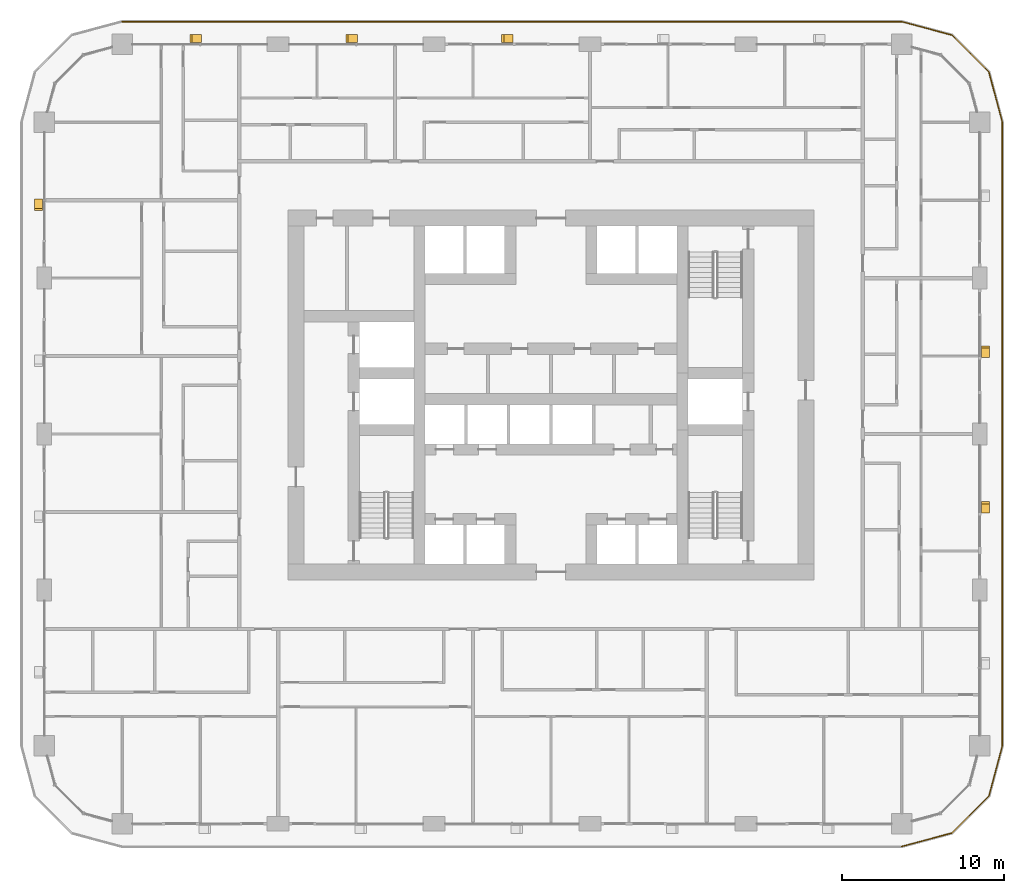
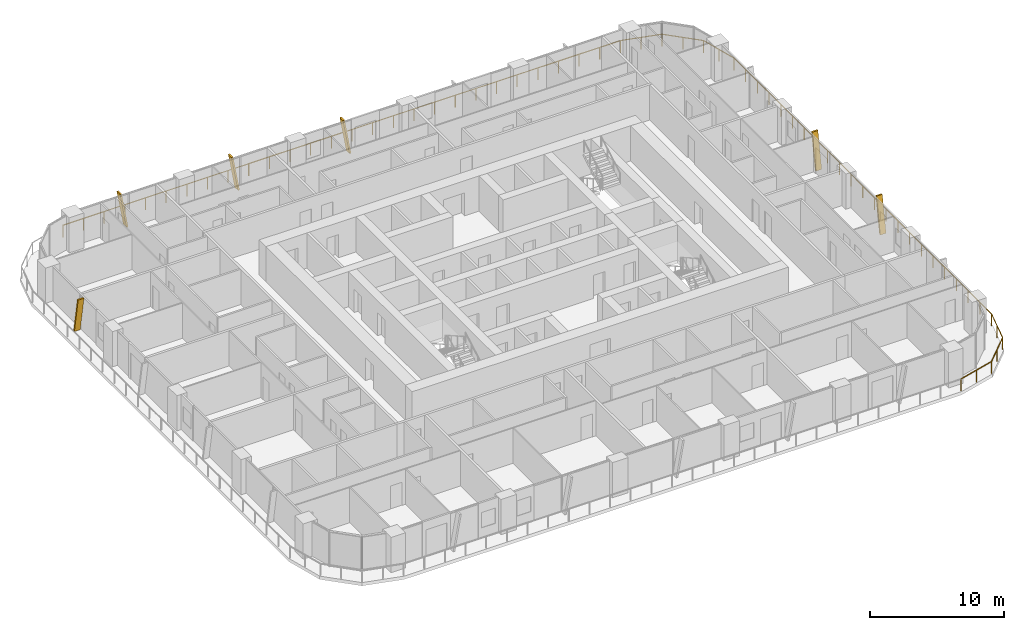
# One storey, part 20 of 21: 6 shading devices, 1 railing.
"""IFC4 building model written with IfcOpenShell, lengths in metres."""

import ifcopenshell
import ifcopenshell.guid

model = None  # the IFC model being written
_history = None  # IfcOwnerHistory: only IFC2X3 demands one
_inside = {}  # id of a spatial element -> (the spatial element, [elements in it])
_under = {}  # id of a project, library or spatial element -> (it, [spatial elements below it])
_declared = {}  # id of a project -> (the project, [libraries it declares])
_typed = {}  # id of a type object -> (the type object, [elements of that type])
_made_of = {}  # id of a material, layer set ... -> (it, [elements and type objects made of it])


def new_model(schema):
    """Start an empty IFC model of exactly this schema.

    Asked for "IFC4X3", IfcOpenShell would pick the latest addendum, in which some entities
    have other attributes; the version numbers below select the first issue.
    IFC2X3 requires an IfcOwnerHistory on every rooted entity: one is made here for all.
    """
    global model, _history
    if schema == "IFC4X3":
        model = ifcopenshell.file(schema_version=(4, 3, 0, 0))
    else:
        model = ifcopenshell.file(schema=schema)
    _inside.clear()
    _under.clear()
    _declared.clear()
    _typed.clear()
    _made_of.clear()
    _history = None
    if model.schema == "IFC2X3":
        org = make("IfcOrganization", Name="unknown")
        user = make(
            "IfcPersonAndOrganization",
            ThePerson=make("IfcPerson", FamilyName="unknown"),
            TheOrganization=org,
        )
        app = make(
            "IfcApplication",
            ApplicationDeveloper=org,
            Version="unknown",
            ApplicationFullName="unknown",
            ApplicationIdentifier="unknown",
        )
        _history = make(
            "IfcOwnerHistory",
            OwningUser=user,
            OwningApplication=app,
            ChangeAction="ADDED",
            CreationDate=0,
        )
    return model


def make(cls, **values):
    """One entity of the class cls with the attributes given. An attribute that is None is left unset."""
    return model.create_entity(
        cls, **{name: value for name, value in values.items() if value is not None}
    )


def rooted(cls, **values):
    """An entity with a GlobalId (a new one), such as an element, a storey or a relation."""
    return make(cls, GlobalId=ifcopenshell.guid.new(), OwnerHistory=_history, **values)


def si_unit(unit_type, name, prefix=None):
    """IfcSIUnit, for example si_unit("LENGTHUNIT", "METRE", prefix="MILLI")."""
    return make("IfcSIUnit", UnitType=unit_type, Prefix=prefix, Name=name)


def assignment(units):
    """IfcUnitAssignment: the units of a project."""
    return None if units is None else make("IfcUnitAssignment", Units=units)


def point(xyz):
    """IfcCartesianPoint."""
    return None if xyz is None else make("IfcCartesianPoint", Coordinates=xyz)


def direction(xyz):
    """IfcDirection."""
    return None if xyz is None else make("IfcDirection", DirectionRatios=xyz)


def frame(location, z_axis=None, x_axis=None):
    """IfcAxis2Placement3D, a coordinate frame: its origin and axes. An axis left out is left unset."""
    return make(
        "IfcAxis2Placement3D",
        Location=point(location),
        Axis=direction(z_axis),
        RefDirection=direction(x_axis),
    )


def frame_2d(location, x_axis=None):
    """IfcAxis2Placement2D, a coordinate frame in the plane: its origin and x axis."""
    return make(
        "IfcAxis2Placement2D", Location=point(location), RefDirection=direction(x_axis)
    )


def origin():
    """The frame at (0, 0, 0) with its axes left unset."""
    return frame((0.0, 0.0, 0.0))


def origin_2d():
    """The frame at (0, 0) in the plane with its x axis left unset."""
    return frame_2d((0.0, 0.0))


def place(relative_to, where):
    """IfcLocalPlacement: puts the frame where relative to a parent placement (None: the world)."""
    return make(
        "IfcLocalPlacement", PlacementRelTo=relative_to, RelativePlacement=where
    )


def context(
    kind, dimensions, precision=None, world=None, true_north=None, identifier=None
):
    """IfcGeometricRepresentationContext, for example the 3D "Model" context."""
    return make(
        "IfcGeometricRepresentationContext",
        ContextIdentifier=identifier,
        ContextType=kind,
        CoordinateSpaceDimension=dimensions,
        Precision=precision,
        WorldCoordinateSystem=world,
        TrueNorth=true_north,
    )


def subcontext(parent, identifier, kind, view, scale=None):
    """IfcGeometricRepresentationSubContext, for example "Body" below "Model"."""
    return make(
        "IfcGeometricRepresentationSubContext",
        ContextIdentifier=identifier,
        ContextType=kind,
        ParentContext=parent,
        TargetScale=scale,
        TargetView=view,
    )


def project(units=None, contexts=None):
    """IfcProject with its units and contexts."""
    return rooted(
        "IfcProject",
        Name="project",
        RepresentationContexts=contexts,
        UnitsInContext=assignment(units),
    )


def spatial(cls, under=None, at=None, **own):
    """A site, building, storey or space (cls), placed at a placement, below another one or the project."""
    s = rooted(cls, ObjectPlacement=at, **own)
    if under is not None:
        _under.setdefault(under.id(), (under, []))[1].append(s)
    return s


def polyline(points):
    """IfcPolyline through the points."""
    return make("IfcPolyline", Points=[point(p) for p in points])


def profile(cls, at=None, kind="AREA", **sizes):
    """A parametric profile (cls). Its sizes go by their IFC names, for example OverallWidth=200.0."""
    return make(cls, ProfileType=kind, Position=at, **sizes)


def circle(**sizes):
    """IfcCircleProfileDef."""
    return profile("IfcCircleProfileDef", **sizes)


def outline(outer, holes=None, kind="AREA"):
    """IfcArbitraryClosedProfileDef: a profile drawn as a closed curve; with holes, ...WithVoids."""
    if holes is None:
        return make("IfcArbitraryClosedProfileDef", ProfileType=kind, OuterCurve=outer)
    return make(
        "IfcArbitraryProfileDefWithVoids",
        ProfileType=kind,
        OuterCurve=outer,
        InnerCurves=holes,
    )


def extrude(swept, where, along, depth):
    """IfcExtrudedAreaSolid: the profile swept, set in the frame where, extruded along a direction by depth."""
    return make(
        "IfcExtrudedAreaSolid",
        SweptArea=swept,
        Position=where,
        ExtrudedDirection=direction(along),
        Depth=depth,
    )


def shape(context_of_items, identifier, shape_type, items):
    """IfcShapeRepresentation: the items that make up one representation, for example the "Body"."""
    return make(
        "IfcShapeRepresentation",
        ContextOfItems=context_of_items,
        RepresentationIdentifier=identifier,
        RepresentationType=shape_type,
        Items=items,
    )


def material(Name=None, Category=None):
    """IfcMaterial."""
    return make("IfcMaterial", Name=Name, Category=Category)


def made_of(thing, what):
    """Note that an element or type object is made of a material, layer set ...; save() writes the relation."""
    if what is not None:
        _made_of.setdefault(what.id(), (what, []))[1].append(thing)
    return thing


def type_object(cls, material=None, **own):
    """A type object (cls), such as IfcWallType, which elements share."""
    return made_of(rooted(cls, **own), material)


def element(
    cls,
    number,
    at=None,
    inside=None,
    cuts=None,
    type_object=None,
    material=None,
    context=None,
    identifier="Body",
    shape_type=None,
    held_by="IfcProductDefinitionShape",
    body=None,
    shapes=None,
    **own,
):
    """One element of the class cls, such as IfcWall. Its Tag is "e" and its number.

    at: its placement. inside: the storey or other place that contains it. cuts: it is an
    opening in that element (IfcRelVoidsElement). A single representation is given by context,
    identifier, shape_type and body (its items); several are given by shapes. held_by: the class
    of the entity that holds the representations. save() writes the other relations.
    """
    e = rooted(cls, Tag="e%d" % number, ObjectPlacement=at, **own)
    if body is not None:
        shapes = [shape(context, identifier, shape_type, body)]
    if shapes is not None:
        e.Representation = make(held_by, Representations=shapes)
    if inside is not None:
        _inside.setdefault(inside.id(), (inside, []))[1].append(e)
    if cuts is not None:
        rooted(
            "IfcRelVoidsElement", RelatingBuildingElement=cuts, RelatedOpeningElement=e
        )
    if type_object is not None:
        _typed.setdefault(type_object.id(), (type_object, []))[1].append(e)
    return made_of(e, material)


def aggregate(whole, parts):
    """IfcRelAggregates: a whole, such as a stair, and the parts it consists of."""
    return rooted("IfcRelAggregates", RelatingObject=whole, RelatedObjects=parts)


def save(model, path):
    """Write the relations noted so far, then the file.

    IfcRelAggregates (storeys below a building ...), IfcRelContainedInSpatialStructure (elements
    in a storey), IfcRelDefinesByType, IfcRelAssociatesMaterial and IfcRelDeclares: one each for
    every whole, place, type object, material and project.
    """
    for whole, parts in _under.values():
        aggregate(whole, parts)
    for where, things in _inside.values():
        rooted(
            "IfcRelContainedInSpatialStructure",
            RelatedElements=things,
            RelatingStructure=where,
        )
    for kind, things in _typed.values():
        rooted("IfcRelDefinesByType", RelatedObjects=things, RelatingType=kind)
    for what, things in _made_of.values():
        rooted("IfcRelAssociatesMaterial", RelatedObjects=things, RelatingMaterial=what)
    for by, libraries in _declared.values():
        rooted("IfcRelDeclares", RelatingContext=by, RelatedDefinitions=libraries)
    model.write(path)


model = new_model("IFC4")

# Units and contexts
model_context = context("Model", 3, precision=1e-05, world=origin(), true_north=direction((0.0, 1.0)))
body_context = subcontext(model_context, "Body", "Model", "MODEL_VIEW")
ifc_project = project(units=[si_unit("LENGTHUNIT", "METRE"), si_unit("AREAUNIT", "SQUARE_METRE"), si_unit("VOLUMEUNIT", "CUBIC_METRE"), si_unit("PLANEANGLEUNIT", "RADIAN"), si_unit("MASSUNIT", "GRAM", prefix="KILO")], contexts=[model_context])

# Site, building, storey
site_placement = place(None, origin())
site = spatial("IfcSite", under=ifc_project, at=site_placement, CompositionType="ELEMENT")
building_placement = place(site_placement, origin())
building = spatial("IfcBuilding", under=site, at=building_placement, Name="Madar Terraces", CompositionType="ELEMENT")
storey_placement = place(building_placement, frame((0.0, 0.0, 46.89990234375)))
storey = spatial("IfcBuildingStorey", under=building, at=storey_placement, Name="L11", CompositionType="ELEMENT", Elevation=46.89990234375)

# Railing
ifc_material_1 = material(Name="Glass, safety glazing, with stainless steel posts", Category="steel")
railing_type = type_object("IfcRailingType", Name="Balcony glass guard 1100", PredefinedType="GUARDRAIL", material=ifc_material_1)
railing_placement = place(storey_placement, frame((52.800048828125, -1.39990234375, 0.0)))
element("IfcRailing", 1, at=railing_placement, inside=storey, type_object=railing_type, Name="Balcony guard", PredefinedType="GUARDRAIL", context=body_context, shape_type="SweptSolid", body=[
    extrude(circle(Radius=0.02392578125, at=origin_2d()), frame((0.0, 0.0, 1.076171875), z_axis=(0.965928696102, 0.258808334578, 0.0), x_axis=(-0.258808334578, 0.965928696102, 0.0)), (0.0, 0.0, 1.0), 3.209228515625),
    extrude(circle(Radius=0.02392578125, at=origin_2d()), frame((3.099853515625, 0.83056640625, 1.076171875), z_axis=(0.707144815061, 0.707068745266, 0.0), x_axis=(-0.707068745266, 0.707144815061, 0.0)), (0.0, 0.0, 1.0), 3.20947265625),
    extrude(circle(Radius=0.02392578125, at=origin_2d()), frame((5.369384765625, 3.099853515625, 1.076171875), z_axis=(0.258789317819, 0.9659337912, 0.0), x_axis=(-0.9659337912, 0.258789317819, 0.0)), (0.0, 0.0, 1.0), 3.20947265625),
    extrude(circle(Radius=0.02392578125, at=origin_2d()), frame((6.199951171875, 6.199951171875, 1.076171875), z_axis=(0.0, 1.0, 0.0), x_axis=(-1.0, 0.0, 0.0)), (0.0, 0.0, 1.0), 38.39990234375),
    extrude(circle(Radius=0.02392578125, at=origin_2d()), frame((6.199951171875, 44.599853515625, 1.076171875), z_axis=(-0.258789317819, 0.9659337912, 0.0), x_axis=(-0.9659337912, -0.258789317819, 0.0)), (0.0, 0.0, 1.0), 3.20947265625),
    extrude(circle(Radius=0.02392578125, at=origin_2d()), frame((5.369384765625, 47.699951171875, 1.076171875), z_axis=(-0.707144815061, 0.707068745266, 0.0), x_axis=(-0.707068745266, -0.707144815061, 0.0)), (0.0, 0.0, 1.0), 3.20947265625),
    extrude(circle(Radius=0.02392578125, at=origin_2d()), frame((3.099853515625, 49.96923828125, 1.076171875), z_axis=(-0.965928696102, 0.258808334578, 0.0), x_axis=(-0.258808334578, -0.965928696102, 0.0)), (0.0, 0.0, 1.0), 3.209228515625),
    extrude(circle(Radius=0.02392578125, at=origin_2d()), frame((0.0, 50.7998046875, 1.076171875), z_axis=(-1.0, 0.0, 0.0), x_axis=(0.0, -1.0, 0.0)), (0.0, 0.0, 1.0), 48.0),
    extrude(circle(Radius=0.02099609375, at=origin_2d()), origin(), (0.0, 0.0, 1.0), 1.052001953125),
    extrude(circle(Radius=0.02099609375, at=origin_2d()), frame((1.5498046875, 0.415283203125, 0.0)), (0.0, 0.0, 1.0), 1.052001953125),
    extrude(circle(Radius=0.02099609375, at=origin_2d()), frame((3.099853515625, 0.83056640625, 0.0)), (0.0, 0.0, 1.0), 1.052001953125),
    extrude(circle(Radius=0.02099609375, at=origin_2d()), frame((4.234619140625, 1.96533203125, 0.0)), (0.0, 0.0, 1.0), 1.052001953125),
    extrude(circle(Radius=0.02099609375, at=origin_2d()), frame((5.369384765625, 3.099853515625, 0.0)), (0.0, 0.0, 1.0), 1.052001953125),
    extrude(circle(Radius=0.02099609375, at=origin_2d()), frame((5.78466796875, 4.64990234375, 0.0)), (0.0, 0.0, 1.0), 1.052001953125),
    extrude(circle(Radius=0.02099609375, at=origin_2d()), frame((6.199951171875, 6.199951171875, 0.0)), (0.0, 0.0, 1.0), 1.052001953125),
    extrude(circle(Radius=0.02099609375, at=origin_2d()), frame((6.199951171875, 7.9453125, 0.0)), (0.0, 0.0, 1.0), 1.052001953125),
    extrude(circle(Radius=0.02099609375, at=origin_2d()), frame((6.199951171875, 9.69091796875, 0.0)), (0.0, 0.0, 1.0), 1.052001953125),
    extrude(circle(Radius=0.02099609375, at=origin_2d()), frame((6.199951171875, 11.436279296875, 0.0)), (0.0, 0.0, 1.0), 1.052001953125),
    extrude(circle(Radius=0.02099609375, at=origin_2d()), frame((6.199951171875, 13.181640625, 0.0)), (0.0, 0.0, 1.0), 1.052001953125),
    extrude(circle(Radius=0.02099609375, at=origin_2d()), frame((6.199951171875, 14.92724609375, 0.0)), (0.0, 0.0, 1.0), 1.052001953125),
    extrude(circle(Radius=0.02099609375, at=origin_2d()), frame((6.199951171875, 16.672607421875, 0.0)), (0.0, 0.0, 1.0), 1.052001953125),
    extrude(circle(Radius=0.02099609375, at=origin_2d()), frame((6.199951171875, 18.418212890625, 0.0)), (0.0, 0.0, 1.0), 1.052001953125),
    extrude(circle(Radius=0.02099609375, at=origin_2d()), frame((6.199951171875, 20.16357421875, 0.0)), (0.0, 0.0, 1.0), 1.052001953125),
    extrude(circle(Radius=0.02099609375, at=origin_2d()), frame((6.199951171875, 21.908935546875, 0.0)), (0.0, 0.0, 1.0), 1.052001953125),
    extrude(circle(Radius=0.02099609375, at=origin_2d()), frame((6.199951171875, 23.654541015625, 0.0)), (0.0, 0.0, 1.0), 1.052001953125),
    extrude(circle(Radius=0.02099609375, at=origin_2d()), frame((6.199951171875, 25.39990234375, 0.0)), (0.0, 0.0, 1.0), 1.052001953125),
    extrude(circle(Radius=0.02099609375, at=origin_2d()), frame((6.199951171875, 27.145263671875, 0.0)), (0.0, 0.0, 1.0), 1.052001953125),
    extrude(circle(Radius=0.02099609375, at=origin_2d()), frame((6.199951171875, 28.890869140625, 0.0)), (0.0, 0.0, 1.0), 1.052001953125),
    extrude(circle(Radius=0.02099609375, at=origin_2d()), frame((6.199951171875, 30.63623046875, 0.0)), (0.0, 0.0, 1.0), 1.052001953125),
    extrude(circle(Radius=0.02099609375, at=origin_2d()), frame((6.199951171875, 32.381591796875, 0.0)), (0.0, 0.0, 1.0), 1.052001953125),
    extrude(circle(Radius=0.02099609375, at=origin_2d()), frame((6.199951171875, 34.127197265625, 0.0)), (0.0, 0.0, 1.0), 1.052001953125),
    extrude(circle(Radius=0.02099609375, at=origin_2d()), frame((6.199951171875, 35.87255859375, 0.0)), (0.0, 0.0, 1.0), 1.052001953125),
    extrude(circle(Radius=0.02099609375, at=origin_2d()), frame((6.199951171875, 37.6181640625, 0.0)), (0.0, 0.0, 1.0), 1.052001953125),
    extrude(circle(Radius=0.02099609375, at=origin_2d()), frame((6.199951171875, 39.363525390625, 0.0)), (0.0, 0.0, 1.0), 1.052001953125),
    extrude(circle(Radius=0.02099609375, at=origin_2d()), frame((6.199951171875, 41.10888671875, 0.0)), (0.0, 0.0, 1.0), 1.052001953125),
    extrude(circle(Radius=0.02099609375, at=origin_2d()), frame((6.199951171875, 42.8544921875, 0.0)), (0.0, 0.0, 1.0), 1.052001953125),
    extrude(circle(Radius=0.02099609375, at=origin_2d()), frame((6.199951171875, 44.599853515625, 0.0)), (0.0, 0.0, 1.0), 1.052001953125),
    extrude(circle(Radius=0.02099609375, at=origin_2d()), frame((5.78466796875, 46.14990234375, 0.0)), (0.0, 0.0, 1.0), 1.052001953125),
    extrude(circle(Radius=0.02099609375, at=origin_2d()), frame((5.369384765625, 47.699951171875, 0.0)), (0.0, 0.0, 1.0), 1.052001953125),
    extrude(circle(Radius=0.02099609375, at=origin_2d()), frame((4.234619140625, 48.83447265625, 0.0)), (0.0, 0.0, 1.0), 1.052001953125),
    extrude(circle(Radius=0.02099609375, at=origin_2d()), frame((3.099853515625, 49.96923828125, 0.0)), (0.0, 0.0, 1.0), 1.052001953125),
    extrude(circle(Radius=0.02099609375, at=origin_2d()), frame((1.5498046875, 50.384521484375, 0.0)), (0.0, 0.0, 1.0), 1.052001953125),
    extrude(circle(Radius=0.02099609375, at=origin_2d()), frame((0.0, 50.7998046875, 0.0)), (0.0, 0.0, 1.0), 1.052001953125),
    extrude(circle(Radius=0.02099609375, at=origin_2d()), frame((-1.77783203125, 50.7998046875, 0.0)), (0.0, 0.0, 1.0), 1.052001953125),
    extrude(circle(Radius=0.02099609375, at=origin_2d()), frame((-3.5556640625, 50.7998046875, 0.0)), (0.0, 0.0, 1.0), 1.052001953125),
    extrude(circle(Radius=0.02099609375, at=origin_2d()), frame((-5.333251953125, 50.7998046875, 0.0)), (0.0, 0.0, 1.0), 1.052001953125),
    extrude(circle(Radius=0.02099609375, at=origin_2d()), frame((-7.111083984375, 50.7998046875, 0.0)), (0.0, 0.0, 1.0), 1.052001953125),
    extrude(circle(Radius=0.02099609375, at=origin_2d()), frame((-8.888916015625, 50.7998046875, 0.0)), (0.0, 0.0, 1.0), 1.052001953125),
    extrude(circle(Radius=0.02099609375, at=origin_2d()), frame((-10.666748046875, 50.7998046875, 0.0)), (0.0, 0.0, 1.0), 1.052001953125),
    extrude(circle(Radius=0.02099609375, at=origin_2d()), frame((-12.4443359375, 50.7998046875, 0.0)), (0.0, 0.0, 1.0), 1.052001953125),
    extrude(circle(Radius=0.02099609375, at=origin_2d()), frame((-14.22216796875, 50.7998046875, 0.0)), (0.0, 0.0, 1.0), 1.052001953125),
    extrude(circle(Radius=0.02099609375, at=origin_2d()), frame((-16.0, 50.7998046875, 0.0)), (0.0, 0.0, 1.0), 1.052001953125),
    extrude(circle(Radius=0.02099609375, at=origin_2d()), frame((-17.77783203125, 50.7998046875, 0.0)), (0.0, 0.0, 1.0), 1.052001953125),
    extrude(circle(Radius=0.02099609375, at=origin_2d()), frame((-19.5556640625, 50.7998046875, 0.0)), (0.0, 0.0, 1.0), 1.052001953125),
    extrude(circle(Radius=0.02099609375, at=origin_2d()), frame((-21.333251953125, 50.7998046875, 0.0)), (0.0, 0.0, 1.0), 1.052001953125),
    extrude(circle(Radius=0.02099609375, at=origin_2d()), frame((-23.111083984375, 50.7998046875, 0.0)), (0.0, 0.0, 1.0), 1.052001953125),
    extrude(circle(Radius=0.02099609375, at=origin_2d()), frame((-24.888916015625, 50.7998046875, 0.0)), (0.0, 0.0, 1.0), 1.052001953125),
    extrude(circle(Radius=0.02099609375, at=origin_2d()), frame((-26.666748046875, 50.7998046875, 0.0)), (0.0, 0.0, 1.0), 1.052001953125),
    extrude(circle(Radius=0.02099609375, at=origin_2d()), frame((-28.4443359375, 50.7998046875, 0.0)), (0.0, 0.0, 1.0), 1.052001953125),
    extrude(circle(Radius=0.02099609375, at=origin_2d()), frame((-30.22216796875, 50.7998046875, 0.0)), (0.0, 0.0, 1.0), 1.052001953125),
    extrude(circle(Radius=0.02099609375, at=origin_2d()), frame((-32.0, 50.7998046875, 0.0)), (0.0, 0.0, 1.0), 1.052001953125),
    extrude(circle(Radius=0.02099609375, at=origin_2d()), frame((-33.77783203125, 50.7998046875, 0.0)), (0.0, 0.0, 1.0), 1.052001953125),
    extrude(circle(Radius=0.02099609375, at=origin_2d()), frame((-35.5556640625, 50.7998046875, 0.0)), (0.0, 0.0, 1.0), 1.052001953125),
    extrude(circle(Radius=0.02099609375, at=origin_2d()), frame((-37.333251953125, 50.7998046875, 0.0)), (0.0, 0.0, 1.0), 1.052001953125),
    extrude(circle(Radius=0.02099609375, at=origin_2d()), frame((-39.111083984375, 50.7998046875, 0.0)), (0.0, 0.0, 1.0), 1.052001953125),
    extrude(circle(Radius=0.02099609375, at=origin_2d()), frame((-40.888916015625, 50.7998046875, 0.0)), (0.0, 0.0, 1.0), 1.052001953125),
    extrude(circle(Radius=0.02099609375, at=origin_2d()), frame((-42.666748046875, 50.7998046875, 0.0)), (0.0, 0.0, 1.0), 1.052001953125),
    extrude(circle(Radius=0.02099609375, at=origin_2d()), frame((-44.4443359375, 50.7998046875, 0.0)), (0.0, 0.0, 1.0), 1.052001953125),
    extrude(circle(Radius=0.02099609375, at=origin_2d()), frame((-46.22216796875, 50.7998046875, 0.0)), (0.0, 0.0, 1.0), 1.052001953125),
    extrude(circle(Radius=0.02099609375, at=origin_2d()), frame((-48.0, 50.7998046875, 0.0)), (0.0, 0.0, 1.0), 1.052001953125),
])

# Shading devices
ifc_material_2 = material(Name="Aluminium, black anodised", Category="aluminium")
shading_device_type = type_object("IfcShadingDeviceType", Name="Facade fin blade 140 x 500", PredefinedType="USERDEFINED", material=ifc_material_2)
for number, where, z_axis, x_axis, name in (
    (2, (57.949951171875, 19.1298828125, 0.0), (0.0, 0.0, 1.0), (0.0, 1.0, 0.0), "FIN L11 E2"),
    (3, (57.949951171875, 28.72998046875, 0.0), (0.0, 0.0, 1.0), (0.0, 1.0, 0.0), "FIN L11 E3"),
    (4, (28.8701171875, 48.35009765625, 0.0), (0.0, 0.0, 1.0), (-1.0, 0.0, 0.0), "FIN L11 N3"),
    (5, (19.27001953125, 48.35009765625, 0.0), (0.0, 0.0, 1.0), (-1.0, 0.0, 0.0), "FIN L11 N4"),
):
    element("IfcShadingDevice", number, at=place(storey_placement, frame(where, z_axis=z_axis, x_axis=x_axis)), inside=storey, type_object=shading_device_type, Name=name, ObjectType="FIN", PredefinedType="USERDEFINED", context=body_context, shape_type="SweptSolid", body=[
        extrude(outline(polyline([(0.0, 0.0), (0.14013671875, 0.0), (0.704345703125, 3.2001953125), (0.564208984375, 3.2001953125), (0.0, 0.0)])), frame((0.0, 0.25, 0.0), z_axis=(0.0, -1.0, 0.0), x_axis=(1.0, 0.0, 0.0)), (0.0, 0.0, 1.0), 0.5),
    ])
for number, where, z_axis, x_axis, name in (
    (6, (9.669921875, 48.35009765625, 0.0), (0.0, 0.0, 1.0), (-1.0, 0.0, 0.0), "FIN L11 N5"),
    (7, (-0.35009765625, 38.469970703125, 0.0), (0.0, 0.0, 1.0), (0.0, -1.0, 0.0), "FIN L11 W1"),
):
    element("IfcShadingDevice", number, at=place(storey_placement, frame(where, z_axis=z_axis, x_axis=x_axis)), inside=storey, type_object=shading_device_type, Name=name, ObjectType="FIN", PredefinedType="USERDEFINED", context=body_context, shape_type="SweptSolid", body=[
        extrude(outline(polyline([(0.0, 0.0), (0.139892578125, 0.0), (0.704345703125, 3.2001953125), (0.564208984375, 3.2001953125), (0.0, 0.0)])), frame((0.0, 0.25, 0.0), z_axis=(0.0, -1.0, 0.0), x_axis=(1.0, 0.0, 0.0)), (0.0, 0.0, 1.0), 0.5),
    ])

save(model, "model.ifc")
